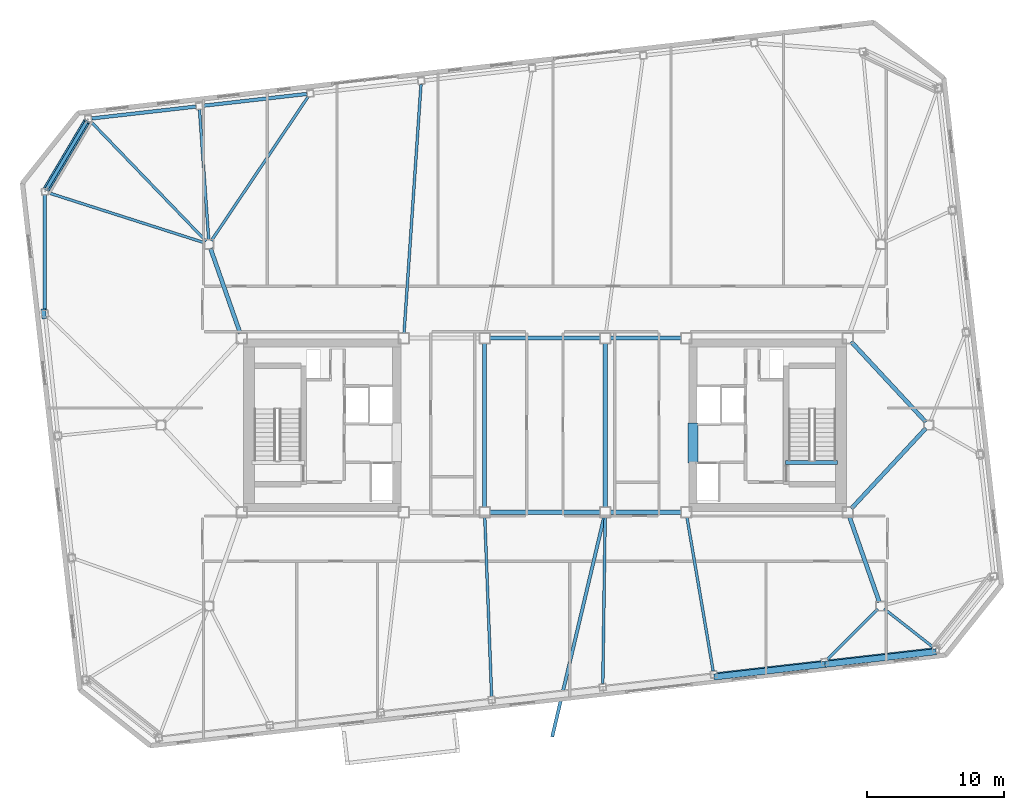
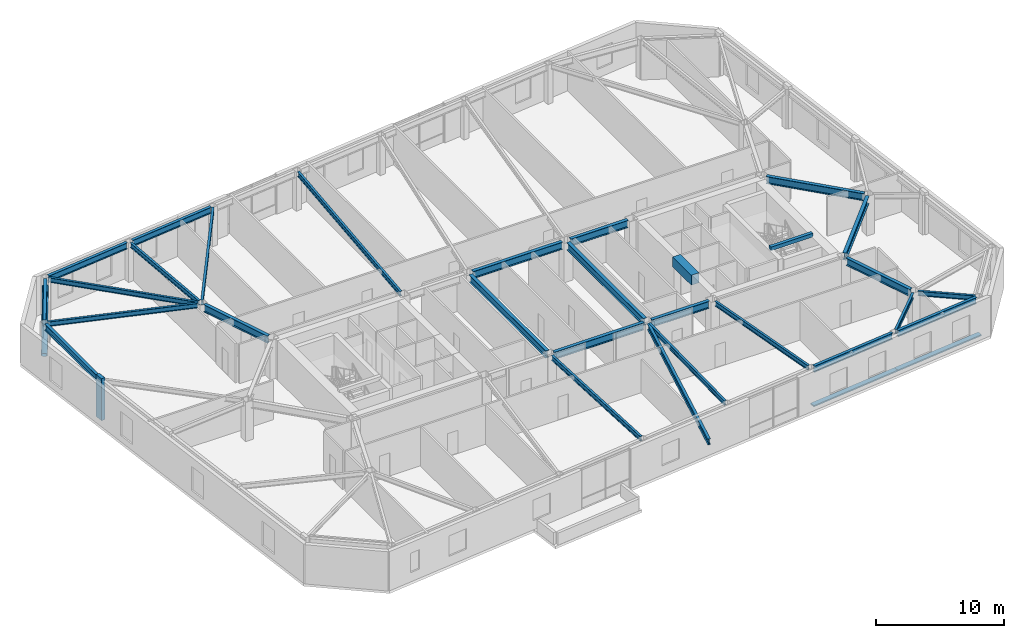
# One storey, part 7 of 18: 29 beams, 4 members.
"""IFC4 building model written with IfcOpenShell, lengths in metres."""

from ifc_helpers import new_model, si_unit, direction, frame, origin, origin_2d, place, context, subcontext, project, spatial, rectangle, hollow_circle, i_section, extrude, material, material_profile, profile_set, type_object, element, save


model = new_model("IFC4")

# Units and contexts
model_context = context("Model", 3, precision=1e-05, world=origin(), true_north=direction((0.0, 1.0)))
body_context = subcontext(model_context, "Body", "Model", "MODEL_VIEW")
ifc_project = project(units=[si_unit("LENGTHUNIT", "METRE"), si_unit("AREAUNIT", "SQUARE_METRE"), si_unit("VOLUMEUNIT", "CUBIC_METRE"), si_unit("PLANEANGLEUNIT", "RADIAN"), si_unit("MASSUNIT", "GRAM", prefix="KILO")], contexts=[model_context])

# Site, building, storey
site_placement = place(None, origin())
site = spatial("IfcSite", under=ifc_project, at=site_placement, CompositionType="ELEMENT")
building_placement = place(site_placement, origin())
building = spatial("IfcBuilding", under=site, at=building_placement, Name="Tavrogorsk Clinical Tower", CompositionType="ELEMENT")
storey_placement = place(building_placement, frame((0.0, 0.0, 230.199951171875)))
storey = spatial("IfcBuildingStorey", under=building, at=storey_placement, Name="L53", CompositionType="ELEMENT", Elevation=230.199951171875)

# Members
ifc_material_1 = material(Name="Anodised aluminium alloy AW-6063", Category="aluminium")
ifc_material_profile_1 = material_profile(ifc_material_1, rectangle(XDim=0.449951171875, YDim=0.1201171875, at=origin_2d()), Name="ALU-SUNSHADE-450x120")
ifc_profile_set_1 = profile_set([ifc_material_profile_1], Name="Anodised aluminium alloy AW-6063")
member_type_1 = type_object("IfcMemberType", Name="ChicagoSunshade_450x120", PredefinedType="USERDEFINED", material=ifc_profile_set_1)
for number, where, z_axis, x_axis, name in (
    (1, (12.336669921875, -18.369140625, 0.179931640625), (0.99356960656, 0.11322295227, 0.0), (-0.11322295227, 0.99356960656, 0.0), "L53 South Aluminium Sunshade S6"),
    (2, (20.432861328125, -17.446533203125, 0.179931640625), (0.9935729766, 0.113193375116, 0.0), (-0.113193375116, 0.9935729766, 0.0), "L53 South Aluminium Sunshade S7"),
):
    element("IfcMember", number, at=place(storey_placement, frame(where, z_axis=z_axis, x_axis=x_axis)), inside=storey, type_object=member_type_1, Name=name, ObjectType="SUNSHADE", PredefinedType="USERDEFINED", context=body_context, shape_type="SweptSolid", body=[
        extrude(rectangle(XDim=0.449951171875, YDim=0.1201171875, at=origin_2d()), origin(), (0.0, 0.0, 1.0), 8.148681640625),
    ])

# Beam
ifc_material_2 = material(Name="Concrete B80", Category="concrete")
ifc_material_profile_2 = material_profile(ifc_material_2, rectangle(XDim=0.699951171875, YDim=0.949951171875, at=origin_2d()), Name="RC-CB-700x950")
ifc_profile_set_2 = profile_set([ifc_material_profile_2], Name="Concrete B80")
beam_type_1 = type_object("IfcBeamType", Name="CouplingBeam_RC700x950", PredefinedType="LINTEL", material=ifc_profile_set_2)
beam_1_placement = place(storey_placement, frame((10.800048828125, -2.75, 3.26513671875), z_axis=(0.0, 1.0, 0.0), x_axis=(-1.0, 0.0, 0.0)))
element("IfcBeam", 3, at=beam_1_placement, inside=storey, type_object=beam_type_1, Name="L53 Core East Coupling Beam", PredefinedType="LINTEL", context=body_context, shape_type="SweptSolid", body=[
    extrude(rectangle(XDim=0.699951171875, YDim=0.949951171875, at=origin_2d()), origin(), (0.0, 0.0, 1.0), 2.89990234375),
])

# Member
ifc_material_3 = material(Name="Structural steel S440", Category="steel")
ifc_material_profile_3 = material_profile(ifc_material_3, hollow_circle(Radius=0.25390625, WallThickness=0.02001953125, at=origin_2d()), Name="CHS-508x20")
ifc_profile_set_3 = profile_set([ifc_material_profile_3], Name="Structural steel S440")
member_type_2 = type_object("IfcMemberType", Name="ExoBrace_CHS508", PredefinedType="BRACE", material=ifc_profile_set_3)
member_1_placement = place(storey_placement, frame((-36.349853515625, 17.23486328125, 0.40625), z_axis=(0.466115044739, 0.783286774864, 0.411337566228), x_axis=(-0.859354157364, 0.511380907173, 0.0)))
element("IfcMember", 4, at=member_1_placement, inside=storey, type_object=member_type_2, Name="L53 Corner Exoskeleton Brace N8-W1", PredefinedType="BRACE", context=body_context, shape_type="SweptSolid", body=[
    extrude(hollow_circle(Radius=0.25390625, WallThickness=0.02001953125, at=origin_2d()), origin(), (0.0, 0.0, 1.0), 6.266357421875),
])

# Beams
ifc_material_4 = material(Name="Structural steel S355", Category="steel")
ifc_material_profile_4 = material_profile(ifc_material_4, i_section(OverallWidth=0.199951171875, OverallDepth=0.449951171875, WebThickness=0.011474609375, FlangeThickness=0.01806640625, at=origin_2d()), Name="B-450x200x11.5x18")
ifc_profile_set_4 = profile_set([ifc_material_profile_4], Name="Structural steel S355")
beam_type_2 = type_object("IfcBeamType", Name="FloorBeam_B450", PredefinedType="BEAM", material=ifc_profile_set_4)
beam_2_placement = place(storey_placement, frame((-4.38623046875, -6.709716796875, 3.51513671875), z_axis=(0.038253158264, -0.999268080088, 0.0), x_axis=(0.999268080088, 0.038253158264, 0.0)))
element("IfcBeam", 5, at=beam_2_placement, inside=storey, type_object=beam_type_2, Name="L53 Radial Floor Beam S4", PredefinedType="BEAM", context=body_context, shape_type="SweptSolid", body=[
    extrude(i_section(OverallWidth=0.199951171875, OverallDepth=0.449951171875, WebThickness=0.011474609375, FlangeThickness=0.01806640625, at=origin_2d()), origin(), (0.0, 0.0, 1.0), 13.0771484375),
])
beam_3_placement = place(storey_placement, frame((4.39501953125, -6.7099609375, 3.51513671875), z_axis=(-0.014110566079, -0.999900441006, 0.0), x_axis=(0.999900441006, -0.014110566079, 0.0)))
element("IfcBeam", 6, at=beam_3_placement, inside=storey, type_object=beam_type_2, Name="L53 Radial Floor Beam S5", PredefinedType="BEAM", context=body_context, shape_type="SweptSolid", body=[
    extrude(i_section(OverallWidth=0.199951171875, OverallDepth=0.449951171875, WebThickness=0.011474609375, FlangeThickness=0.01806640625, at=origin_2d()), origin(), (0.0, 0.0, 1.0), 12.14599609375),
])
beam_4_placement = place(storey_placement, frame((10.3603515625, -6.704833984375, 3.51513671875), z_axis=(0.167876447446, -0.98580804338, 0.0), x_axis=(0.98580804338, 0.167876447446, 0.0)))
element("IfcBeam", 7, at=beam_4_placement, inside=storey, type_object=beam_type_2, Name="L53 Radial Floor Beam S6", PredefinedType="BEAM", context=body_context, shape_type="SweptSolid", body=[
    extrude(i_section(OverallWidth=0.199951171875, OverallDepth=0.449951171875, WebThickness=0.011474609375, FlangeThickness=0.01806640625, at=origin_2d()), origin(), (0.0, 0.0, 1.0), 11.392822265625),
])
beam_5_placement = place(storey_placement, frame((24.2802734375, -13.418701171875, 3.51513671875), z_axis=(-0.708842234901, -0.705367057652, 0.0), x_axis=(0.705367057652, -0.708842234901, 0.0)))
element("IfcBeam", 8, at=beam_5_placement, inside=storey, type_object=beam_type_2, Name="L53 Radial Floor Beam S7", PredefinedType="BEAM", context=body_context, shape_type="SweptSolid", body=[
    extrude(i_section(OverallWidth=0.199951171875, OverallDepth=0.449951171875, WebThickness=0.011474609375, FlangeThickness=0.01806640625, at=origin_2d()), origin(), (0.0, 0.0, 1.0), 5.19873046875),
])
beam_6_placement = place(storey_placement, frame((24.743896484375, -13.391357421875, 3.51513671875), z_axis=(0.786731711527, -0.617295078611, 0.0), x_axis=(0.617295078611, 0.786731711527, 0.0)))
element("IfcBeam", 9, at=beam_6_placement, inside=storey, type_object=beam_type_2, Name="L53 Radial Floor Beam S8", PredefinedType="BEAM", context=body_context, shape_type="SweptSolid", body=[
    extrude(i_section(OverallWidth=0.199951171875, OverallDepth=0.449951171875, WebThickness=0.011474609375, FlangeThickness=0.01806640625, at=origin_2d()), origin(), (0.0, 0.0, 1.0), 4.52734375),
])
beam_7_placement = place(storey_placement, frame((-10.275390625, 6.709228515625, 3.51513671875), z_axis=(0.068054861188, 0.9976815804, 0.0), x_axis=(-0.9976815804, 0.068054861188, 0.0)))
element("IfcBeam", 10, at=beam_7_placement, inside=storey, type_object=beam_type_2, Name="L53 Radial Floor Beam N5", PredefinedType="BEAM", context=body_context, shape_type="SweptSolid", body=[
    extrude(i_section(OverallWidth=0.199951171875, OverallDepth=0.449951171875, WebThickness=0.011474609375, FlangeThickness=0.01806640625, at=origin_2d()), origin(), (0.0, 0.0, 1.0), 18.188232421875),
])
beam_8_placement = place(storey_placement, frame((-24.3271484375, 13.457275390625, 3.51513671875), z_axis=(0.557666552953, 0.830065067159, 0.0), x_axis=(-0.830065067159, 0.557666552953, 0.0)))
element("IfcBeam", 11, at=beam_8_placement, inside=storey, type_object=beam_type_2, Name="L53 Radial Floor Beam N6", PredefinedType="BEAM", context=body_context, shape_type="SweptSolid", body=[
    extrude(i_section(OverallWidth=0.199951171875, OverallDepth=0.449951171875, WebThickness=0.011474609375, FlangeThickness=0.01806640625, at=origin_2d()), origin(), (0.0, 0.0, 1.0), 12.67236328125),
])
beam_9_placement = place(storey_placement, frame((-24.52197265625, 13.50927734375, 3.51513671875), z_axis=(-0.070563956086, 0.997507257167, 0.0), x_axis=(-0.997507257167, -0.070563956086, 0.0)))
element("IfcBeam", 12, at=beam_9_placement, inside=storey, type_object=beam_type_2, Name="L53 Radial Floor Beam N7", PredefinedType="BEAM", context=body_context, shape_type="SweptSolid", body=[
    extrude(i_section(OverallWidth=0.199951171875, OverallDepth=0.449951171875, WebThickness=0.011474609375, FlangeThickness=0.01806640625, at=origin_2d()), origin(), (0.0, 0.0, 1.0), 9.52490234375),
])
beam_10_placement = place(storey_placement, frame((-24.715087890625, 13.42333984375, 3.51513671875), z_axis=(-0.69371826835, 0.720246460704, 0.0), x_axis=(-0.720246460704, -0.69371826835, 0.0)))
element("IfcBeam", 13, at=beam_10_placement, inside=storey, type_object=beam_type_2, Name="L53 Radial Floor Beam N8", PredefinedType="BEAM", context=body_context, shape_type="SweptSolid", body=[
    extrude(i_section(OverallWidth=0.199951171875, OverallDepth=0.449951171875, WebThickness=0.011474609375, FlangeThickness=0.01806640625, at=origin_2d()), origin(), (0.0, 0.0, 1.0), 12.129638671875),
])
beam_11_placement = place(storey_placement, frame((-24.795166015625, 13.29443359375, 3.51513671875), z_axis=(-0.952367912824, 0.304951403709, 0.0), x_axis=(-0.304951403709, -0.952367912824, 0.0)))
element("IfcBeam", 14, at=beam_11_placement, inside=storey, type_object=beam_type_2, Name="L53 Radial Floor Beam W1", PredefinedType="BEAM", context=body_context, shape_type="SweptSolid", body=[
    extrude(i_section(OverallWidth=0.199951171875, OverallDepth=0.449951171875, WebThickness=0.011474609375, FlangeThickness=0.01806640625, at=origin_2d()), origin(), (0.0, 0.0, 1.0), 12.000732421875),
])

# Member
ifc_material_5 = material(Name="Precast concrete B45 with limestone cladding", Category="masonry")
ifc_material_profile_5 = material_profile(ifc_material_5, rectangle(XDim=0.320068359375, YDim=0.719970703125, at=origin_2d()), Name="LIMESTONE-FIN-320x720")
ifc_profile_set_5 = profile_set([ifc_material_profile_5], Name="Precast concrete B45 with limestone cladding")
member_type_3 = type_object("IfcMemberType", Name="LimestonePleatFin_320x720", PredefinedType="USERDEFINED", material=ifc_profile_set_5)
member_2_placement = place(storey_placement, frame((-36.549560546875, 8.121337890625, 0.0), z_axis=(0.0, 0.0, 1.0), x_axis=(0.993571855677, 0.113203213768, 0.0)))
element("IfcMember", 15, at=member_2_placement, inside=storey, type_object=member_type_3, Name="L53 W Pleated Stone Fin 1", ObjectType="FIN", PredefinedType="USERDEFINED", context=body_context, shape_type="SweptSolid", body=[
    extrude(rectangle(XDim=0.320068359375, YDim=0.719970703125, at=origin_2d()), origin(), (0.0, 0.0, 1.0), 4.0),
])

# Beams
ifc_material_6 = material(Name="Structural steel S390", Category="steel")
ifc_material_profile_6 = material_profile(ifc_material_6, i_section(OverallWidth=0.300048828125, OverallDepth=0.699951171875, WebThickness=0.01708984375, FlangeThickness=0.028076171875, at=origin_2d()), Name="B-700x300x17x28")
ifc_profile_set_6 = profile_set([ifc_material_profile_6], Name="Structural steel S390")
beam_type_3 = type_object("IfcBeamType", Name="PrimaryGirder_B700", PredefinedType="USERDEFINED", material=ifc_profile_set_6)
for number, where, z_axis, x_axis, name in (
    (16, (-4.0400390625, -6.35009765625, 3.39013671875), (1.0, 0.0, 0.0), (0.0, 1.0, 0.0), "L53 Primary Spine Girder MG-03"),
    (17, (-4.0400390625, 6.35009765625, 3.39013671875), (1.0, 0.0, 0.0), (0.0, 1.0, 0.0), "L53 Primary Spine Girder MG-04"),
):
    element("IfcBeam", number, at=place(storey_placement, frame(where, z_axis=z_axis, x_axis=x_axis)), inside=storey, type_object=beam_type_3, Name=name, ObjectType="GIRDER", PredefinedType="USERDEFINED", context=body_context, shape_type="SweptSolid", body=[
        extrude(i_section(OverallWidth=0.300048828125, OverallDepth=0.699951171875, WebThickness=0.01708984375, FlangeThickness=0.028076171875, at=origin_2d()), origin(), (0.0, 0.0, 1.0), 8.080078125),
    ])
for number, where, z_axis, x_axis, name in (
    (18, (4.760009765625, -6.35009765625, 3.39013671875), (1.0, 0.0, 0.0), (0.0, 1.0, 0.0), "L53 Primary Spine Girder MG-05"),
    (19, (4.760009765625, 6.35009765625, 3.39013671875), (1.0, 0.0, 0.0), (0.0, 1.0, 0.0), "L53 Primary Spine Girder MG-06"),
):
    element("IfcBeam", number, at=place(storey_placement, frame(where, z_axis=z_axis, x_axis=x_axis)), inside=storey, type_object=beam_type_3, Name=name, ObjectType="GIRDER", PredefinedType="USERDEFINED", context=body_context, shape_type="SweptSolid", body=[
        extrude(i_section(OverallWidth=0.300048828125, OverallDepth=0.699951171875, WebThickness=0.01708984375, FlangeThickness=0.028076171875, at=origin_2d()), origin(), (0.0, 0.0, 1.0), 5.179931640625),
    ])
for number, where, z_axis, x_axis, name in (
    (20, (-4.39990234375, -5.989990234375, 3.39013671875), (0.0, 1.0, 0.0), (-1.0, 0.0, 0.0), "L53 Primary Spine Girder MG-07"),
    (21, (4.39990234375, -5.989990234375, 3.39013671875), (0.0, 1.0, 0.0), (-1.0, 0.0, 0.0), "L53 Primary Spine Girder MG-08"),
):
    element("IfcBeam", number, at=place(storey_placement, frame(where, z_axis=z_axis, x_axis=x_axis)), inside=storey, type_object=beam_type_3, Name=name, ObjectType="GIRDER", PredefinedType="USERDEFINED", context=body_context, shape_type="SweptSolid", body=[
        extrude(i_section(OverallWidth=0.300048828125, OverallDepth=0.699951171875, WebThickness=0.01708984375, FlangeThickness=0.028076171875, at=origin_2d()), origin(), (0.0, 0.0, 1.0), 11.97998046875),
    ])
for number, where, z_axis, x_axis, name in (
    (22, (24.3974609375, -12.907470703125, 3.39013671875), (-0.330654121425, 0.943752007672, 0.0), (-0.943752007672, -0.330654121425, 0.0), "L53 Spine Link Girder OPG-2"),
    (23, (-24.3974609375, 12.907470703125, 3.39013671875), (0.330654121425, -0.943752007672, 0.0), (0.943752007672, 0.330654121425, 0.0), "L53 Spine Link Girder OPG-3"),
):
    element("IfcBeam", number, at=place(storey_placement, frame(where, z_axis=z_axis, x_axis=x_axis)), inside=storey, type_object=beam_type_3, Name=name, ObjectType="GIRDER", PredefinedType="USERDEFINED", context=body_context, shape_type="SweptSolid", body=[
        extrude(i_section(OverallWidth=0.300048828125, OverallDepth=0.699951171875, WebThickness=0.01708984375, FlangeThickness=0.028076171875, at=origin_2d()), origin(), (0.0, 0.0, 1.0), 6.58837890625),
    ])
for number, where, z_axis, x_axis, name in (
    (24, (27.7890625, -0.22705078125, 3.39013671875), (-0.680684060959, -0.732577101168, 0.0), (0.732577101168, -0.680684060959, 0.0), "L53 Spine Link Girder OPG-7"),
    (25, (27.7890625, 0.22705078125, 3.39013671875), (-0.680684060959, 0.732577101168, 0.0), (-0.732577101168, -0.680684060959, 0.0), "L53 Spine Link Girder OPG-8"),
):
    element("IfcBeam", number, at=place(storey_placement, frame(where, z_axis=z_axis, x_axis=x_axis)), inside=storey, type_object=beam_type_3, Name=name, ObjectType="GIRDER", PredefinedType="USERDEFINED", context=body_context, shape_type="SweptSolid", body=[
        extrude(i_section(OverallWidth=0.300048828125, OverallDepth=0.699951171875, WebThickness=0.01708984375, FlangeThickness=0.028076171875, at=origin_2d()), origin(), (0.0, 0.0, 1.0), 7.998046875),
    ])
ifc_material_7 = material(Name="Structural steel S390", Category="steel")
ifc_material_profile_7 = material_profile(ifc_material_7, i_section(OverallWidth=0.239990234375, OverallDepth=0.550048828125, WebThickness=0.013916015625, FlangeThickness=0.02197265625, at=origin_2d()), Name="B-550x240x14x22")
ifc_profile_set_7 = profile_set([ifc_material_profile_7], Name="Structural steel S390")
beam_type_4 = type_object("IfcBeamType", Name="SpandrelBeam_B550", PredefinedType="SPANDREL", material=ifc_profile_set_7)
beam_12_placement = place(storey_placement, frame((4.3173828125, -6.700439453125, 3.445068359375), z_axis=(-0.229783520443, -0.973241765304, 0.0), x_axis=(0.973241765304, -0.229783520443, 0.0)))
element("IfcBeam", 26, at=beam_12_placement, inside=storey, type_object=beam_type_4, Name="L54 Spiral Terrace Cantilever Beam 2", PredefinedType="SPANDREL", context=body_context, shape_type="SweptSolid", body=[
    extrude(i_section(OverallWidth=0.239990234375, OverallDepth=0.550048828125, WebThickness=0.013916015625, FlangeThickness=0.02197265625, at=origin_2d()), origin(), (0.0, 0.0, 1.0), 16.473876953125),
])
ifc_material_8 = material(Name="Structural steel S390", Category="steel")
ifc_material_profile_8 = material_profile(ifc_material_8, i_section(OverallWidth=0.260009765625, OverallDepth=0.60009765625, WebThickness=0.014892578125, FlangeThickness=0.02392578125, at=origin_2d()), Name="B-600x260x15x24")
ifc_profile_set_8 = profile_set([ifc_material_profile_8], Name="Structural steel S390")
beam_type_5 = type_object("IfcBeamType", Name="SpandrelBeam_B600", PredefinedType="SPANDREL", material=ifc_profile_set_8)
beam_13_placement = place(storey_placement, frame((12.57275390625, -18.1611328125, 3.43994140625), z_axis=(0.993571689921, 0.113204668576, 0.0), x_axis=(-0.113204668576, 0.993571689921, 0.0)))
element("IfcBeam", 27, at=beam_13_placement, inside=storey, type_object=beam_type_5, Name="L53 Perimeter Spandrel S6-S7", PredefinedType="SPANDREL", context=body_context, shape_type="SweptSolid", body=[
    extrude(i_section(OverallWidth=0.260009765625, OverallDepth=0.60009765625, WebThickness=0.014892578125, FlangeThickness=0.02392578125, at=origin_2d()), origin(), (0.0, 0.0, 1.0), 7.63232421875),
])
for number, where, z_axis, x_axis, name in (
    (28, (20.668701171875, -17.238525390625, 3.43994140625), (0.993572099834, 0.113201070804, 0.0), (-0.113201070804, 0.993572099834, 0.0), "L53 Perimeter Spandrel S7-S8"),
    (29, (-17.37255859375, 24.1611328125, 3.43994140625), (-0.993572099834, -0.113201070804, 0.0), (0.113201070804, -0.993572099834, 0.0), "L53 Perimeter Spandrel N6-N7"),
    (30, (-25.46875, 23.238525390625, 3.43994140625), (-0.993572099834, -0.113201070804, 0.0), (0.113201070804, -0.993572099834, 0.0), "L53 Perimeter Spandrel N7-N8"),
):
    element("IfcBeam", number, at=place(storey_placement, frame(where, z_axis=z_axis, x_axis=x_axis)), inside=storey, type_object=beam_type_5, Name=name, PredefinedType="SPANDREL", context=body_context, shape_type="SweptSolid", body=[
        extrude(i_section(OverallWidth=0.260009765625, OverallDepth=0.60009765625, WebThickness=0.014892578125, FlangeThickness=0.02392578125, at=origin_2d()), origin(), (0.0, 0.0, 1.0), 7.632568359375),
    ])
beam_14_placement = place(storey_placement, frame((-33.4404296875, 22.123779296875, 3.43994140625), z_axis=(-0.51140659222, -0.859338872293, 0.0), x_axis=(0.859338872293, -0.51140659222, 0.0)))
element("IfcBeam", 31, at=beam_14_placement, inside=storey, type_object=beam_type_5, Name="L53 Perimeter Spandrel N8-W1", PredefinedType="SPANDREL", context=body_context, shape_type="SweptSolid", body=[
    extrude(i_section(OverallWidth=0.260009765625, OverallDepth=0.60009765625, WebThickness=0.014892578125, FlangeThickness=0.02392578125, at=origin_2d()), origin(), (0.0, 0.0, 1.0), 5.666259765625),
])
beam_15_placement = place(storey_placement, frame((-36.469970703125, 16.77490234375, 3.43994140625), z_axis=(0.0, -1.0, 0.0), x_axis=(1.0, 0.0, 0.0)))
element("IfcBeam", 32, at=beam_15_placement, inside=storey, type_object=beam_type_5, Name="L53 Perimeter Spandrel W1-W2", PredefinedType="SPANDREL", context=body_context, shape_type="SweptSolid", body=[
    extrude(i_section(OverallWidth=0.260009765625, OverallDepth=0.60009765625, WebThickness=0.014892578125, FlangeThickness=0.02392578125, at=origin_2d()), origin(), (0.0, 0.0, 1.0), 8.386474609375),
])
ifc_material_9 = material(Name="Concrete B60", Category="concrete")
ifc_material_profile_9 = material_profile(ifc_material_9, rectangle(XDim=0.300048828125, YDim=0.35009765625, at=origin_2d()), Name="RC-SHB-300x350")
ifc_profile_set_9 = profile_set([ifc_material_profile_9], Name="Concrete B60")
beam_type_6 = type_object("IfcBeamType", Name="StairHeaderBeam_RC300x350", PredefinedType="BEAM", material=ifc_profile_set_9)
beam_16_placement = place(storey_placement, frame((17.550048828125, -2.719970703125, 3.824951171875), z_axis=(1.0, 0.0, 0.0), x_axis=(0.0, 1.0, 0.0)))
element("IfcBeam", 33, at=beam_16_placement, inside=storey, type_object=beam_type_6, Name="L54 ST-E Landing Header Beam", PredefinedType="BEAM", context=body_context, shape_type="SweptSolid", body=[
    extrude(rectangle(XDim=0.300048828125, YDim=0.35009765625, at=origin_2d()), origin(), (0.0, 0.0, 1.0), 3.800048828125),
])

save(model, "model.ifc")
